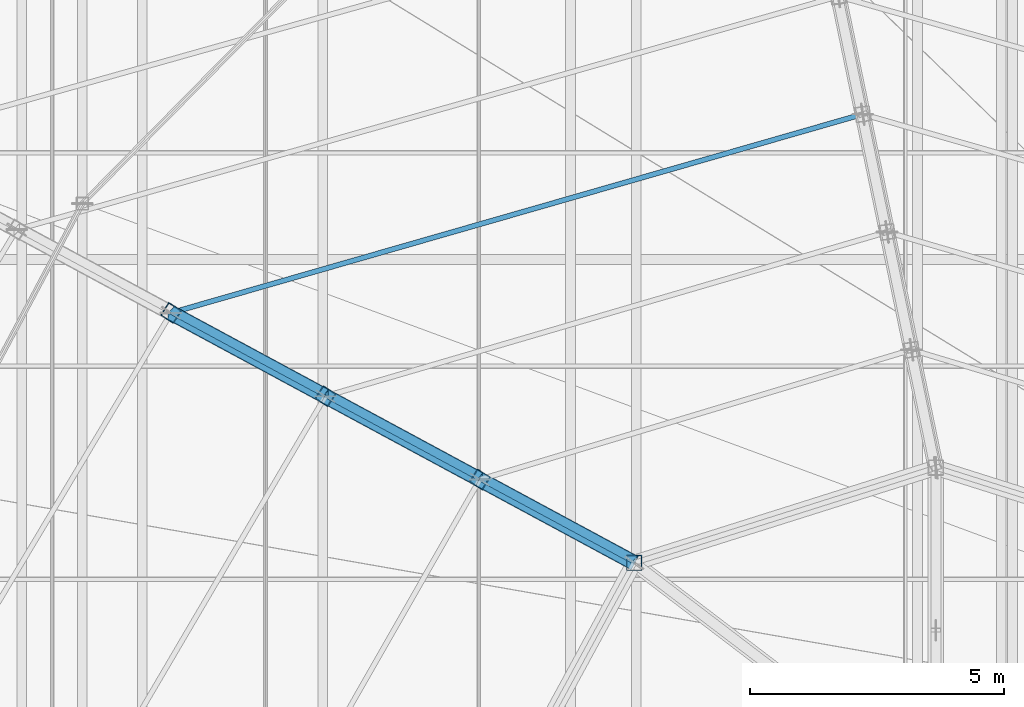
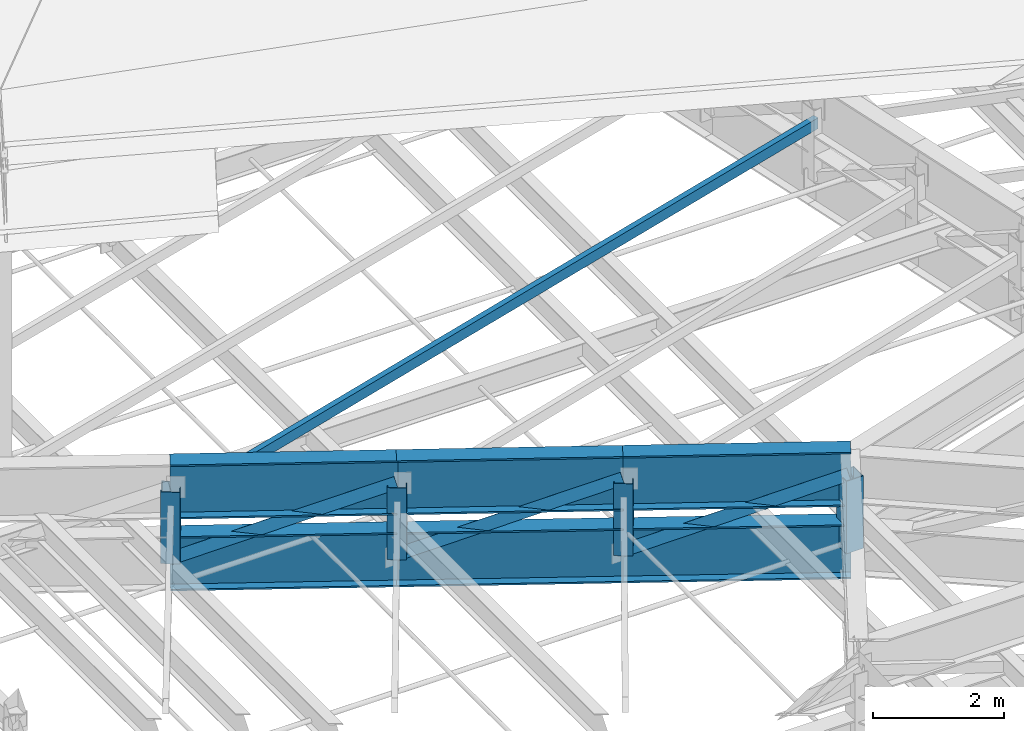
# One storey, part 102 of 184: 8 members, 6 beams.
"""IFC4 building model written with IfcOpenShell, lengths in metres."""

from ifc_helpers import new_model, si_unit, direction, frame, origin, origin_2d, place, context, subcontext, project, spatial, hollow_rectangle, i_section, extrude, material, material_profile, profile_set, type_object, element, save


model = new_model("IFC4")

# Units and contexts
model_context = context("Model", 3, precision=1e-05, world=origin(), true_north=direction((0.0, 1.0)))
body_context = subcontext(model_context, "Body", "Model", "MODEL_VIEW")
ifc_project = project(units=[si_unit("LENGTHUNIT", "METRE"), si_unit("AREAUNIT", "SQUARE_METRE"), si_unit("VOLUMEUNIT", "CUBIC_METRE"), si_unit("PLANEANGLEUNIT", "RADIAN"), si_unit("MASSUNIT", "GRAM", prefix="KILO")], contexts=[model_context])

# Site, building, storey
site_placement = place(None, origin())
site = spatial("IfcSite", under=ifc_project, at=site_placement, CompositionType="ELEMENT")
building_placement = place(site_placement, origin())
building = spatial("IfcBuilding", under=site, at=building_placement, Name="Kalgoora Escarpment Arena", CompositionType="ELEMENT")
storey_placement = place(building_placement, frame((0.0, 0.0, 27.60009765625)))
storey = spatial("IfcBuildingStorey", under=building, at=storey_placement, Name="Roof Level", CompositionType="ELEMENT", Elevation=27.60009765625)

# Beams
ifc_material_1 = material(Name="Structural steel Grade 350 (350 MPa)", Category="steel")
ifc_material_profile_1 = material_profile(ifc_material_1, i_section(OverallWidth=0.300048828125, OverallDepth=1.010009765625, WebThickness=0.01611328125, FlangeThickness=0.030029296875, at=origin_2d()))
ifc_profile_set_1 = profile_set([ifc_material_profile_1], Name="Structural steel Grade 350 (350 MPa)")
beam_type = type_object("IfcBeamType", Name="BM-TRUSS-CHORD", PredefinedType="USERDEFINED", material=ifc_profile_set_1)
for number, where, z_axis, x_axis, name in (
    (1, (82.130615234375, 73.45263671875, -1.614990234375), (0.880021305462, -0.474932133107, 0.001403878608), (0.474932601123, 0.88002217267, 0.0), "Radial ROOF TRUSS spine 4 bottom chord 9"),
    (2, (82.130615234375, 73.45263671875, -0.280029296875), (0.880018528248, -0.474930634293, 0.002877942064), (0.474932601123, 0.88002217267, 0.0), "Radial ROOF TRUSS spine 4 top chord 9"),
):
    element("IfcBeam", number, at=place(storey_placement, frame(where, z_axis=z_axis, x_axis=x_axis)), inside=storey, type_object=beam_type, Name=name, ObjectType="GIRDER", PredefinedType="USERDEFINED", context=body_context, shape_type="SweptSolid", body=[
        extrude(i_section(OverallWidth=0.300048828125, OverallDepth=1.010009765625, WebThickness=0.01611328125, FlangeThickness=0.030029296875, at=origin_2d()), origin(), (0.0, 0.0, 1.0), 3.47802734375),
    ])
for number, where, z_axis, x_axis, name in (
    (3, (85.170166015625, 71.812255859375, -1.610107421875), (0.880037048235, -0.474902749111, 0.001473981338), (0.474903265004, 0.88003800423, 0.0), "Radial ROOF TRUSS spine 4 bottom chord 10"),
    (4, (85.170166015625, 71.812255859375, -0.27001953125), (0.880034360193, -0.474901298538, 0.002877764298), (0.474903265004, 0.88003800423, 0.0), "Radial ROOF TRUSS spine 4 top chord 10"),
    (5, (88.2099609375, 70.171630859375, -1.60498046875), (0.880037137114, -0.474902797074, 0.001403791892), (0.474903265004, 0.88003800423, 0.0), "Radial ROOF TRUSS spine 4 bottom chord 11"),
    (6, (88.2099609375, 70.171630859375, -0.260009765625), (0.880034360193, -0.474901298538, 0.002877764298), (0.474903265004, 0.88003800423, 0.0), "Radial ROOF TRUSS spine 4 top chord 11"),
):
    element("IfcBeam", number, at=place(storey_placement, frame(where, z_axis=z_axis, x_axis=x_axis)), inside=storey, type_object=beam_type, Name=name, ObjectType="GIRDER", PredefinedType="USERDEFINED", context=body_context, shape_type="SweptSolid", body=[
        extrude(i_section(OverallWidth=0.300048828125, OverallDepth=1.010009765625, WebThickness=0.01611328125, FlangeThickness=0.030029296875, at=origin_2d()), origin(), (0.0, 0.0, 1.0), 3.478271484375),
    ])

# Members
ifc_material_2 = material(Name="Structural steel C350 (350 MPa)", Category="steel")
ifc_material_profile_2 = material_profile(ifc_material_2, hollow_rectangle(XDim=0.10009765625, YDim=0.199951171875, WallThickness=0.009033203125, at=origin_2d()))
ifc_profile_set_2 = profile_set([ifc_material_profile_2], Name="Structural steel C350 (350 MPa)")
member_type_1 = type_object("IfcMemberType", Name="MEM-PURLIN-RHS", PredefinedType="PURLIN", material=ifc_profile_set_2)
member_1_placement = place(storey_placement, frame((95.760009765625, 77.360107421875, -0.630126953125), z_axis=(-0.961113271866, -0.27615444708, 0.0), x_axis=(0.27615444708, -0.961113271866, 0.0)))
element("IfcMember", 7, at=member_1_placement, inside=storey, type_object=member_type_1, Name="Roof circumferential purlin ring 8 sector 3", PredefinedType="PURLIN", context=body_context, shape_type="SweptSolid", body=[
    extrude(hollow_rectangle(XDim=0.10009765625, YDim=0.199951171875, WallThickness=0.009033203125, at=origin_2d()), origin(), (0.0, 0.0, 1.0), 14.169921875),
])
ifc_material_3 = material(Name="Structural steel C350 (350 MPa)", Category="steel")
ifc_material_profile_3 = material_profile(ifc_material_3, hollow_rectangle(XDim=0.199951171875, YDim=0.199951171875, WallThickness=0.009033203125, at=origin_2d()))
ifc_profile_set_3 = profile_set([ifc_material_profile_3], Name="Structural steel C350 (350 MPa)")
member_type_2 = type_object("IfcMemberType", Name="MEM-TRUSS-DIAG", PredefinedType="BRACE", material=ifc_profile_set_3)
member_2_placement = place(storey_placement, frame((82.14111328125, 73.447021484375, -1.614990234375), z_axis=(0.820041647428, -0.44258933987, 0.362831052581), x_axis=(0.572169504424, 0.647763857228, -0.503014953532)))
element("IfcMember", 8, at=member_2_placement, inside=storey, type_object=member_type_2, Name="Radial ROOF TRUSS spine 4 web diagonal 9", PredefinedType="BRACE", context=body_context, shape_type="SweptSolid", body=[
    extrude(hollow_rectangle(XDim=0.199951171875, YDim=0.199951171875, WallThickness=0.009033203125, at=origin_2d()), origin(), (0.0, 0.0, 1.0), 3.706787109375),
])
member_3_placement = place(storey_placement, frame((85.180908203125, 71.806396484375, -1.610107421875), z_axis=(0.819653520554, -0.442314031371, 0.364041761197), x_axis=(0.572704353941, 0.647489078047, -0.50275999919)))
element("IfcMember", 9, at=member_3_placement, inside=storey, type_object=member_type_2, Name="Radial ROOF TRUSS spine 4 web diagonal 10", PredefinedType="BRACE", context=body_context, shape_type="SweptSolid", body=[
    extrude(hollow_rectangle(XDim=0.199951171875, YDim=0.199951171875, WallThickness=0.009033203125, at=origin_2d()), origin(), (0.0, 0.0, 1.0), 3.708740234375),
])
member_4_placement = place(storey_placement, frame((88.220703125, 70.166015625, -1.60498046875), z_axis=(0.819214761628, -0.442178570131, 0.365192122653), x_axis=(0.573312806704, 0.647139278315, -0.50251684562)))
element("IfcMember", 10, at=member_4_placement, inside=storey, type_object=member_type_2, Name="Radial ROOF TRUSS spine 4 web diagonal 11", PredefinedType="BRACE", context=body_context, shape_type="SweptSolid", body=[
    extrude(hollow_rectangle(XDim=0.199951171875, YDim=0.199951171875, WallThickness=0.009033203125, at=origin_2d()), origin(), (0.0, 0.0, 1.0), 3.710205078125),
])
ifc_material_4 = material(Name="Structural steel C450 (450 MPa)", Category="steel")
ifc_material_profile_4 = material_profile(ifc_material_4, hollow_rectangle(XDim=0.300048828125, YDim=0.300048828125, WallThickness=0.012451171875, at=origin_2d()))
ifc_profile_set_4 = profile_set([ifc_material_profile_4], Name="Structural steel C450 (450 MPa)")
member_type_3 = type_object("IfcMemberType", Name="MEM-TRUSS-POST", PredefinedType="POST", material=ifc_profile_set_4)
member_5_placement = place(storey_placement, frame((91.26025390625, 68.525390625, -1.60009765625), z_axis=(0.0, 0.0, 1.0), x_axis=(1.0, 0.0, 0.0)))
element("IfcMember", 11, at=member_5_placement, inside=storey, type_object=member_type_3, Name="Central ROOF TRUSS hub post 4", PredefinedType="POST", context=body_context, shape_type="SweptSolid", body=[
    extrude(hollow_rectangle(XDim=0.300048828125, YDim=0.300048828125, WallThickness=0.012451171875, at=origin_2d()), origin(), (0.0, 0.0, 1.0), 1.35009765625),
])
member_6_placement = place(storey_placement, frame((82.14111328125, 73.447021484375, -1.614990234375), z_axis=(0.0, 0.0, 1.0), x_axis=(0.84179353575, -0.539799632428, 0.0)))
element("IfcMember", 12, at=member_6_placement, inside=storey, type_object=member_type_3, Name="Radial ROOF TRUSS spine 4 post 8", PredefinedType="POST", context=body_context, shape_type="SweptSolid", body=[
    extrude(hollow_rectangle(XDim=0.300048828125, YDim=0.300048828125, WallThickness=0.012451171875, at=origin_2d()), origin(), (0.0, 0.0, 1.0), 1.3349609375),
])
member_7_placement = place(storey_placement, frame((85.180908203125, 71.806396484375, -1.610107421875), z_axis=(0.0, 0.0, 1.0), x_axis=(0.84179353575, -0.539799632428, 0.0)))
element("IfcMember", 13, at=member_7_placement, inside=storey, type_object=member_type_3, Name="Radial ROOF TRUSS spine 4 post 9", PredefinedType="POST", context=body_context, shape_type="SweptSolid", body=[
    extrude(hollow_rectangle(XDim=0.300048828125, YDim=0.300048828125, WallThickness=0.012451171875, at=origin_2d()), origin(), (0.0, 0.0, 1.0), 1.340087890625),
])
member_8_placement = place(storey_placement, frame((88.220703125, 70.166015625, -1.60498046875), z_axis=(0.0, 0.0, 1.0), x_axis=(0.84179353575, -0.539799632428, 0.0)))
element("IfcMember", 14, at=member_8_placement, inside=storey, type_object=member_type_3, Name="Radial ROOF TRUSS spine 4 post 10", PredefinedType="POST", context=body_context, shape_type="SweptSolid", body=[
    extrude(hollow_rectangle(XDim=0.300048828125, YDim=0.300048828125, WallThickness=0.012451171875, at=origin_2d()), origin(), (0.0, 0.0, 1.0), 1.344970703125),
])

save(model, "model.ifc")
